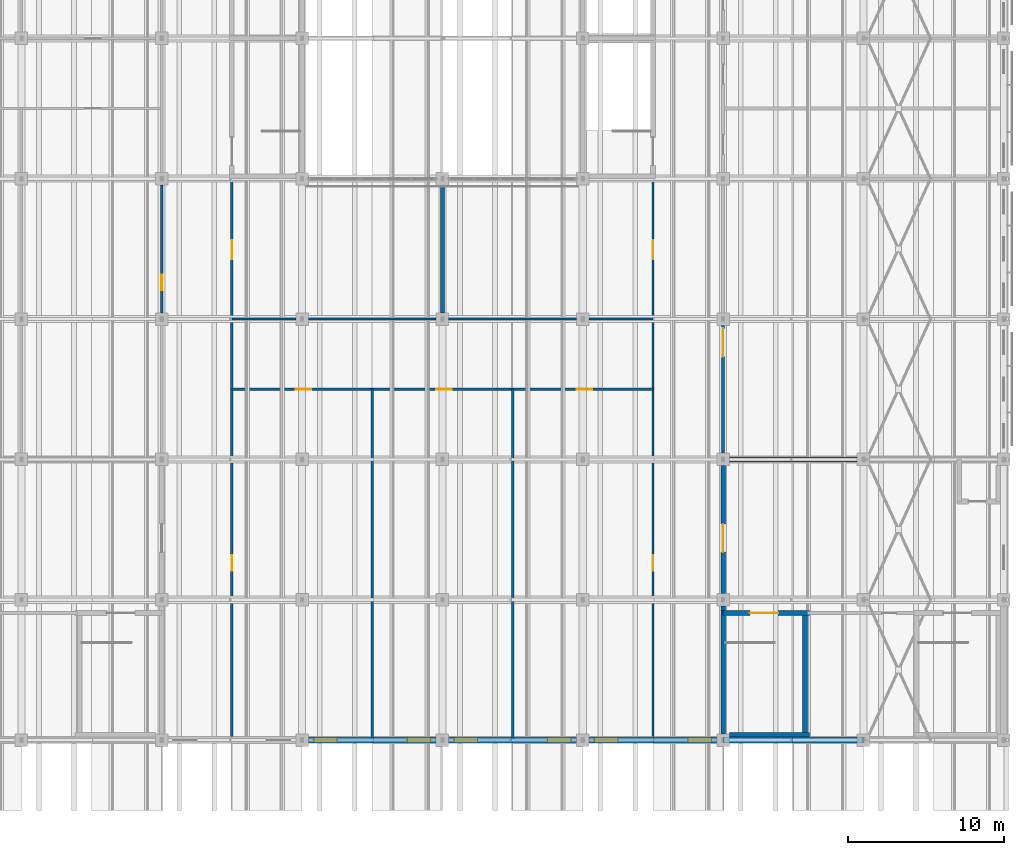
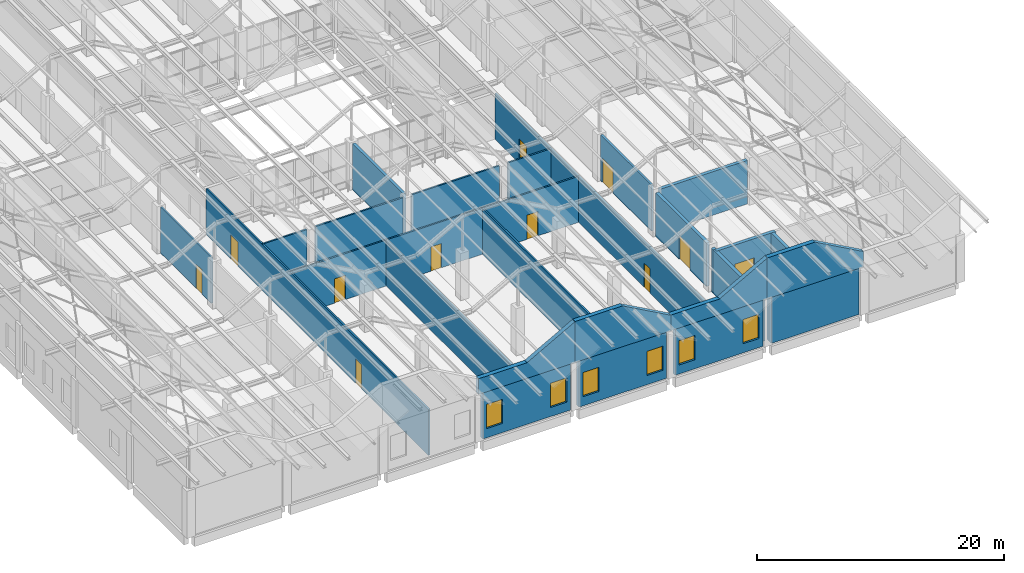
# One storey, part 264 of 437: 27 walls, 11 doors, 6 windows, 17 openings.
"""IFC4 building model written with IfcOpenShell, lengths in metres."""

from ifc_helpers import new_model, si_unit, direction, frame, frame_2d, origin, place, context, subcontext, project, spatial, polyline, rectangle, outline, extrude, material, layer, layer_set, type_object, element, fill, save


model = new_model("IFC4")

# Units and contexts
model_context = context("Model", 3, precision=1e-05, world=origin(), true_north=direction((0.0, 1.0)))
body_context = subcontext(model_context, "Body", "Model", "MODEL_VIEW")
ifc_project = project(units=[si_unit("LENGTHUNIT", "METRE"), si_unit("AREAUNIT", "SQUARE_METRE"), si_unit("VOLUMEUNIT", "CUBIC_METRE"), si_unit("PLANEANGLEUNIT", "RADIAN"), si_unit("MASSUNIT", "GRAM", prefix="KILO")], contexts=[model_context])

# Site, building, storey
site_placement = place(None, origin())
site = spatial("IfcSite", under=ifc_project, at=site_placement, CompositionType="ELEMENT")
building_placement = place(site_placement, origin())
building = spatial("IfcBuilding", under=site, at=building_placement, Name="Opaline Strait Convention Centre", CompositionType="ELEMENT")
storey_placement = place(building_placement, frame((0.0, 0.0, 11.5)))
storey = spatial("IfcBuildingStorey", under=building, at=storey_placement, Name="L02", CompositionType="ELEMENT", Elevation=11.5)

# Wall
ifc_material_1 = material(Name="Gypsum board on metal studs with mineral wool")
ifc_layer_1 = layer(ifc_material_1, 0.25)
ifc_layer_set_1 = layer_set([ifc_layer_1], Name="Gypsum board on metal studs with mineral wool")
wall_type_1 = type_object("IfcWallType", Name="Acoustic partition 250", PredefinedType="PARTITIONING", material=ifc_layer_set_1)
wall_1_placement = place(storey_placement, frame((45.0, 36.39990234375, 0.0), z_axis=(0.0, 0.0, 1.0), x_axis=(0.0, 1.0, 0.0)))
element("IfcWall", 1, at=wall_1_placement, inside=storey, type_object=wall_type_1, Name="L02 partition", PredefinedType="PARTITIONING", context=body_context, shape_type="SweptSolid", body=[
    extrude(rectangle(XDim=8.2001953125, YDim=0.25, at=frame_2d((4.10009765625, 0.0))), origin(), (0.0, 0.0, 1.0), 4.550048828125),
])

# Wall, opening, door
ifc_layer_2 = layer(ifc_material_1, 0.199951171875)
ifc_layer_set_2 = layer_set([ifc_layer_2], Name="Gypsum board on metal studs with mineral wool")
wall_type_2 = type_object("IfcWallType", Name="Fire partition 200", PredefinedType="PARTITIONING", material=ifc_layer_set_2)
wall_2_placement = place(storey_placement, frame((63.0, 27.39990234375, 0.0), z_axis=(0.0, 0.0, 1.0), x_axis=(0.0, 1.0, 0.0)))
wall_2 = element("IfcWall", 2, at=wall_2_placement, inside=storey, type_object=wall_type_2, Name="L02 partition", PredefinedType="PARTITIONING", context=body_context, shape_type="SweptSolid", body=[
    extrude(rectangle(XDim=8.2001953125, YDim=0.199951171875, at=frame_2d((4.10009765625, 0.0))), origin(), (0.0, 0.0, 1.0), 4.550048828125),
])
opening_1_placement = place(wall_2_placement, frame((6.199951171875, 0.0, 0.0)))
opening_1 = element("IfcOpeningElement", 3, at=opening_1_placement, cuts=wall_2, Name="Opening R2-046", PredefinedType="OPENING", context=body_context, shape_type="SweptSolid", body=[
    extrude(rectangle(XDim=1.800048828125, YDim=2.39990234375, at=frame_2d((0.89990234375, 1.199951171875))), frame((0.0, 0.10986328125, 0.0), z_axis=(0.0, -1.0, 0.0), x_axis=(1.0, 0.0, 0.0)), (0.0, 0.0, 1.0), 0.219970703125),
])
ifc_material_2 = material(Name="Galvanised steel door leaves", Category="steel")
door_type_1 = type_object("IfcDoorType", Name="Plant door 1800x2400 double FD60", OperationType="DOUBLE_DOOR_SINGLE_SWING", PredefinedType="DOOR", material=ifc_material_2)
door_1_placement = place(opening_1_placement, origin())
door_1 = element("IfcDoor", 4, at=door_1_placement, inside=storey, type_object=door_type_1, Name="AHU Plant Room door R2-046", ObjectType="RD15", OperationType="DOUBLE_DOOR_SINGLE_SWING", OverallHeight=2.39990234375, OverallWidth=1.800048828125, PredefinedType="DOOR", context=body_context, shape_type="SweptSolid", body=[
    extrude(rectangle(XDim=1.800048828125, YDim=2.39990234375, at=frame_2d((0.89990234375, 1.199951171875))), frame((0.0, 0.02490234375, 0.0), z_axis=(0.0, -1.0, 0.0), x_axis=(1.0, 0.0, 0.0)), (0.0, 0.0, 1.0), 0.050048828125),
])
fill(opening_1, door_1)

# Wall, openings, doors
ifc_layer_3 = layer(ifc_material_1, 0.14990234375)
ifc_layer_set_3 = layer_set([ifc_layer_3], Name="Gypsum board on metal studs with mineral wool")
wall_type_3 = type_object("IfcWallType", Name="Partition 150", PredefinedType="PARTITIONING", material=ifc_layer_set_3)
wall_3_placement = place(storey_placement, frame((31.5, 31.5, 0.0), z_axis=(0.0, 0.0, 1.0), x_axis=(1.0, 0.0, 0.0)))
wall_3 = element("IfcWall", 5, at=wall_3_placement, inside=storey, type_object=wall_type_3, Name="L02 partition", PredefinedType="PARTITIONING", context=body_context, shape_type="SweptSolid", body=[
    extrude(rectangle(XDim=27.0, YDim=0.14990234375, at=frame_2d((13.5, 0.0))), origin(), (0.0, 0.0, 1.0), 4.550048828125),
])
opening_2_placement = place(wall_3_placement, frame((4.10009765625, 0.0, 0.0)))
opening_2 = element("IfcOpeningElement", 6, at=opening_2_placement, cuts=wall_3, Name="Opening R2-028", PredefinedType="OPENING", context=body_context, shape_type="SweptSolid", body=[
    extrude(rectangle(XDim=1.0, YDim=2.39990234375, at=frame_2d((0.5, 1.199951171875))), frame((0.0, 0.0849609375, 0.0), z_axis=(0.0, -1.0, 0.0), x_axis=(1.0, 0.0, 0.0)), (0.0, 0.0, 1.0), 0.169921875),
])
opening_3_placement = place(wall_3_placement, frame((13.10009765625, 0.0, 0.0)))
opening_3 = element("IfcOpeningElement", 7, at=opening_3_placement, cuts=wall_3, Name="Opening R2-029", PredefinedType="OPENING", context=body_context, shape_type="SweptSolid", body=[
    extrude(rectangle(XDim=1.0, YDim=2.39990234375, at=frame_2d((0.5, 1.199951171875))), frame((0.0, 0.0849609375, 0.0), z_axis=(0.0, -1.0, 0.0), x_axis=(1.0, 0.0, 0.0)), (0.0, 0.0, 1.0), 0.169921875),
])
opening_4_placement = place(wall_3_placement, frame((22.10009765625, 0.0, 0.0)))
opening_4 = element("IfcOpeningElement", 8, at=opening_4_placement, cuts=wall_3, Name="Opening R2-031", PredefinedType="OPENING", context=body_context, shape_type="SweptSolid", body=[
    extrude(rectangle(XDim=1.0, YDim=2.39990234375, at=frame_2d((0.5, 1.199951171875))), frame((0.0, 0.0849609375, 0.0), z_axis=(0.0, -1.0, 0.0), x_axis=(1.0, 0.0, 0.0)), (0.0, 0.0, 1.0), 0.169921875),
])
ifc_material_3 = material(Name="Timber door leaf in steel frame", Category="steel")
door_type_2 = type_object("IfcDoorType", Name="Door 1000x2400 single FD30", OperationType="SINGLE_SWING_LEFT", PredefinedType="DOOR", material=ifc_material_3)
door_2_placement = place(opening_2_placement, origin())
door_2 = element("IfcDoor", 9, at=door_2_placement, inside=storey, type_object=door_type_2, Name="Business Centre Office 2.01 door R2-028", ObjectType="RD1", OperationType="SINGLE_SWING_LEFT", OverallHeight=2.39990234375, OverallWidth=1.0, PredefinedType="DOOR", context=body_context, shape_type="SweptSolid", body=[
    extrude(rectangle(XDim=1.0, YDim=2.39990234375, at=frame_2d((0.5, 1.199951171875))), frame((0.0, 0.02490234375, 0.0), z_axis=(0.0, -1.0, 0.0), x_axis=(1.0, 0.0, 0.0)), (0.0, 0.0, 1.0), 0.050048828125),
])
fill(opening_2, door_2)
door_3_placement = place(opening_3_placement, origin())
door_3 = element("IfcDoor", 10, at=door_3_placement, inside=storey, type_object=door_type_2, Name="Business Centre Office 2.02 door R2-029", ObjectType="RD1", OperationType="SINGLE_SWING_LEFT", OverallHeight=2.39990234375, OverallWidth=1.0, PredefinedType="DOOR", context=body_context, shape_type="SweptSolid", body=[
    extrude(rectangle(XDim=1.0, YDim=2.39990234375, at=frame_2d((0.5, 1.199951171875))), frame((0.0, 0.02490234375, 0.0), z_axis=(0.0, -1.0, 0.0), x_axis=(1.0, 0.0, 0.0)), (0.0, 0.0, 1.0), 0.050048828125),
])
fill(opening_3, door_3)
door_4_placement = place(opening_4_placement, origin())
door_4 = element("IfcDoor", 11, at=door_4_placement, inside=storey, type_object=door_type_2, Name="Business Centre Office 2.03 door R2-031", ObjectType="RD1", OperationType="SINGLE_SWING_LEFT", OverallHeight=2.39990234375, OverallWidth=1.0, PredefinedType="DOOR", context=body_context, shape_type="SweptSolid", body=[
    extrude(rectangle(XDim=1.0, YDim=2.39990234375, at=frame_2d((0.5, 1.199951171875))), frame((0.0, 0.02490234375, 0.0), z_axis=(0.0, -1.0, 0.0), x_axis=(1.0, 0.0, 0.0)), (0.0, 0.0, 1.0), 0.050048828125),
])
fill(opening_4, door_4)

# Walls
wall_4_placement = place(storey_placement, frame((31.5, 36.0, 0.0), z_axis=(0.0, 0.0, 1.0), x_axis=(1.0, 0.0, 0.0)))
element("IfcWall", 12, at=wall_4_placement, inside=storey, type_object=wall_type_3, Name="L02 partition", PredefinedType="PARTITIONING", context=body_context, shape_type="SweptSolid", body=[
    extrude(rectangle(XDim=4.10009765625, YDim=0.14990234375, at=frame_2d((2.050048828125, 0.0))), origin(), (0.0, 0.0, 1.0), 4.550048828125),
])
for number, where, z_axis, x_axis, name in (
    (13, (36.39990234375, 36.0, 0.0), (0.0, 0.0, 1.0), (1.0, 0.0, 0.0), "L02 partition"),
    (14, (45.39990234375, 36.0, 0.0), (0.0, 0.0, 1.0), (1.0, 0.0, 0.0), "L02 partition"),
):
    element("IfcWall", number, at=place(storey_placement, frame(where, z_axis=z_axis, x_axis=x_axis)), inside=storey, type_object=wall_type_3, Name=name, PredefinedType="PARTITIONING", context=body_context, shape_type="SweptSolid", body=[
        extrude(rectangle(XDim=8.2001953125, YDim=0.14990234375, at=frame_2d((4.10009765625, 0.0))), origin(), (0.0, 0.0, 1.0), 4.550048828125),
    ])
wall_5_placement = place(storey_placement, frame((54.39990234375, 36.0, 0.0), z_axis=(0.0, 0.0, 1.0), x_axis=(1.0, 0.0, 0.0)))
element("IfcWall", 15, at=wall_5_placement, inside=storey, type_object=wall_type_3, Name="L02 partition", PredefinedType="PARTITIONING", context=body_context, shape_type="SweptSolid", body=[
    extrude(rectangle(XDim=4.10009765625, YDim=0.14990234375, at=frame_2d((2.050048828125, 0.0))), origin(), (0.0, 0.0, 1.0), 4.550048828125),
])

# Wall, opening, door
wall_6_placement = place(storey_placement, frame((27.0, 36.39990234375, 0.0), z_axis=(0.0, 0.0, 1.0), x_axis=(0.0, 1.0, 0.0)))
wall_6 = element("IfcWall", 16, at=wall_6_placement, inside=storey, type_object=wall_type_3, Name="L02 partition", PredefinedType="PARTITIONING", context=body_context, shape_type="SweptSolid", body=[
    extrude(rectangle(XDim=8.2001953125, YDim=0.14990234375, at=frame_2d((4.10009765625, 0.0))), origin(), (0.0, 0.0, 1.0), 4.550048828125),
])
opening_5_placement = place(wall_6_placement, frame((1.449951171875, 0.0, 0.0)))
opening_5 = element("IfcOpeningElement", 17, at=opening_5_placement, cuts=wall_6, Name="Opening R2-041", PredefinedType="OPENING", context=body_context, shape_type="SweptSolid", body=[
    extrude(rectangle(XDim=1.0, YDim=2.39990234375, at=frame_2d((0.5, 1.199951171875))), frame((0.0, 0.0849609375, 0.0), z_axis=(0.0, -1.0, 0.0), x_axis=(1.0, 0.0, 0.0)), (0.0, 0.0, 1.0), 0.169921875),
])
door_5_placement = place(opening_5_placement, frame((1.0, 0.0, 0.0), z_axis=(0.0, 0.0, 1.0), x_axis=(-1.0, 0.0, 0.0)))
door_5 = element("IfcDoor", 18, at=door_5_placement, inside=storey, type_object=door_type_2, Name="Delegate Office Suite 2.05 door R2-041", ObjectType="RD1", OperationType="SINGLE_SWING_LEFT", OverallHeight=2.39990234375, OverallWidth=1.0, PredefinedType="DOOR", context=body_context, shape_type="SweptSolid", body=[
    extrude(rectangle(XDim=1.0, YDim=2.39990234375, at=frame_2d((0.5, 1.199951171875))), frame((0.0, 0.02490234375, 0.0), z_axis=(0.0, -1.0, 0.0), x_axis=(1.0, 0.0, 0.0)), (0.0, 0.0, 1.0), 0.050048828125),
])
fill(opening_5, door_5)

# Wall, openings, doors
wall_7_placement = place(storey_placement, frame((31.5, 9.0, 0.0), z_axis=(0.0, 0.0, 1.0), x_axis=(0.0, 1.0, 0.0)))
wall_7 = element("IfcWall", 19, at=wall_7_placement, inside=storey, type_object=wall_type_3, Name="L02 partition", PredefinedType="PARTITIONING", context=body_context, shape_type="SweptSolid", body=[
    extrude(rectangle(XDim=36.0, YDim=0.14990234375, at=frame_2d((18.0, 0.0))), origin(), (0.0, 0.0, 1.0), 4.550048828125),
])
opening_6_placement = place(wall_7_placement, frame((10.85009765625, 0.0, 0.0)))
opening_6 = element("IfcOpeningElement", 20, at=opening_6_placement, cuts=wall_7, Name="Opening R2-027", PredefinedType="OPENING", context=body_context, shape_type="SweptSolid", body=[
    extrude(rectangle(XDim=1.0, YDim=2.39990234375, at=frame_2d((0.5, 1.199951171875))), frame((0.0, 0.0849609375, 0.0), z_axis=(0.0, -1.0, 0.0), x_axis=(1.0, 0.0, 0.0)), (0.0, 0.0, 1.0), 0.169921875),
])
opening_7_placement = place(wall_7_placement, frame((30.85009765625, 0.0, 0.0)))
opening_7 = element("IfcOpeningElement", 21, at=opening_7_placement, cuts=wall_7, Name="Opening R2-032", PredefinedType="OPENING", context=body_context, shape_type="SweptSolid", body=[
    extrude(rectangle(XDim=1.199951171875, YDim=2.39990234375, at=frame_2d((0.60009765625, 1.199951171875))), frame((0.0, 0.0849609375, 0.0), z_axis=(0.0, -1.0, 0.0), x_axis=(1.0, 0.0, 0.0)), (0.0, 0.0, 1.0), 0.169921875),
])
door_6_placement = place(opening_6_placement, origin())
door_6 = element("IfcDoor", 22, at=door_6_placement, inside=storey, type_object=door_type_2, Name="Business Centre Office 2.01 door R2-027", ObjectType="RD1", OperationType="SINGLE_SWING_LEFT", OverallHeight=2.39990234375, OverallWidth=1.0, PredefinedType="DOOR", context=body_context, shape_type="SweptSolid", body=[
    extrude(rectangle(XDim=1.0, YDim=2.39990234375, at=frame_2d((0.5, 1.199951171875))), frame((0.0, 0.02490234375, 0.0), z_axis=(0.0, -1.0, 0.0), x_axis=(1.0, 0.0, 0.0)), (0.0, 0.0, 1.0), 0.050048828125),
])
fill(opening_6, door_6)
door_type_3 = type_object("IfcDoorType", Name="Meeting room door 1200x2400 FD30", OperationType="SINGLE_SWING_LEFT", PredefinedType="DOOR", material=ifc_material_3)
door_7_placement = place(opening_7_placement, origin())
door_7 = element("IfcDoor", 23, at=door_7_placement, inside=storey, type_object=door_type_3, Name="Meeting Suite 2.01 door R2-032", ObjectType="RD14", OperationType="SINGLE_SWING_LEFT", OverallHeight=2.39990234375, OverallWidth=1.199951171875, PredefinedType="DOOR", context=body_context, shape_type="SweptSolid", body=[
    extrude(rectangle(XDim=1.199951171875, YDim=2.39990234375, at=frame_2d((0.60009765625, 1.199951171875))), frame((0.0, 0.02490234375, 0.0), z_axis=(0.0, -1.0, 0.0), x_axis=(1.0, 0.0, 0.0)), (0.0, 0.0, 1.0), 0.050048828125),
])
fill(opening_7, door_7)

# Walls
for number, where, z_axis, x_axis, name in (
    (24, (40.5, 9.0, 0.0), (0.0, 0.0, 1.0), (0.0, 1.0, 0.0), "L02 partition"),
    (25, (49.5, 9.0, 0.0), (0.0, 0.0, 1.0), (0.0, 1.0, 0.0), "L02 partition"),
):
    element("IfcWall", number, at=place(storey_placement, frame(where, z_axis=z_axis, x_axis=x_axis)), inside=storey, type_object=wall_type_3, Name=name, PredefinedType="PARTITIONING", context=body_context, shape_type="SweptSolid", body=[
        extrude(rectangle(XDim=22.5, YDim=0.14990234375, at=frame_2d((11.25, 0.0))), origin(), (0.0, 0.0, 1.0), 4.550048828125),
    ])

# Wall, openings, doors
wall_8_placement = place(storey_placement, frame((58.5, 9.0, 0.0), z_axis=(0.0, 0.0, 1.0), x_axis=(0.0, 1.0, 0.0)))
wall_8 = element("IfcWall", 26, at=wall_8_placement, inside=storey, type_object=wall_type_3, Name="L02 partition", PredefinedType="PARTITIONING", context=body_context, shape_type="SweptSolid", body=[
    extrude(rectangle(XDim=36.0, YDim=0.14990234375, at=frame_2d((18.0, 0.0))), origin(), (0.0, 0.0, 1.0), 4.550048828125),
])
opening_8_placement = place(wall_8_placement, frame((10.85009765625, 0.0, 0.0)))
opening_8 = element("IfcOpeningElement", 27, at=opening_8_placement, cuts=wall_8, Name="Opening R2-030", PredefinedType="OPENING", context=body_context, shape_type="SweptSolid", body=[
    extrude(rectangle(XDim=1.0, YDim=2.39990234375, at=frame_2d((0.5, 1.199951171875))), frame((0.0, 0.0849609375, 0.0), z_axis=(0.0, -1.0, 0.0), x_axis=(1.0, 0.0, 0.0)), (0.0, 0.0, 1.0), 0.169921875),
])
opening_9_placement = place(wall_8_placement, frame((30.85009765625, 0.0, 0.0)))
opening_9 = element("IfcOpeningElement", 28, at=opening_9_placement, cuts=wall_8, Name="Opening R2-033", PredefinedType="OPENING", context=body_context, shape_type="SweptSolid", body=[
    extrude(rectangle(XDim=1.199951171875, YDim=2.39990234375, at=frame_2d((0.60009765625, 1.199951171875))), frame((0.0, 0.0849609375, 0.0), z_axis=(0.0, -1.0, 0.0), x_axis=(1.0, 0.0, 0.0)), (0.0, 0.0, 1.0), 0.169921875),
])
door_8_placement = place(opening_8_placement, frame((1.0, 0.0, 0.0), z_axis=(0.0, 0.0, 1.0), x_axis=(-1.0, 0.0, 0.0)))
door_8 = element("IfcDoor", 29, at=door_8_placement, inside=storey, type_object=door_type_2, Name="Business Centre Office 2.03 door R2-030", ObjectType="RD1", OperationType="SINGLE_SWING_LEFT", OverallHeight=2.39990234375, OverallWidth=1.0, PredefinedType="DOOR", context=body_context, shape_type="SweptSolid", body=[
    extrude(rectangle(XDim=1.0, YDim=2.39990234375, at=frame_2d((0.5, 1.199951171875))), frame((0.0, 0.02490234375, 0.0), z_axis=(0.0, -1.0, 0.0), x_axis=(1.0, 0.0, 0.0)), (0.0, 0.0, 1.0), 0.050048828125),
])
fill(opening_8, door_8)
door_9_placement = place(opening_9_placement, frame((1.199951171875, 0.0, 0.0), z_axis=(0.0, 0.0, 1.0), x_axis=(-1.0, 0.0, 0.0)))
door_9 = element("IfcDoor", 30, at=door_9_placement, inside=storey, type_object=door_type_3, Name="Meeting Suite 2.02 door R2-033", ObjectType="RD14", OperationType="SINGLE_SWING_LEFT", OverallHeight=2.39990234375, OverallWidth=1.199951171875, PredefinedType="DOOR", context=body_context, shape_type="SweptSolid", body=[
    extrude(rectangle(XDim=1.199951171875, YDim=2.39990234375, at=frame_2d((0.60009765625, 1.199951171875))), frame((0.0, 0.02490234375, 0.0), z_axis=(0.0, -1.0, 0.0), x_axis=(1.0, 0.0, 0.0)), (0.0, 0.0, 1.0), 0.050048828125),
])
fill(opening_9, door_9)

# Wall
ifc_material_4 = material(Name="Concrete C40", Category="concrete")
ifc_layer_4 = layer(ifc_material_4, 0.300048828125)
ifc_layer_set_4 = layer_set([ifc_layer_4], Name="Concrete C40")
wall_type_4 = type_object("IfcWallType", Name="RC wall 300 C40", PredefinedType="SOLIDWALL", material=ifc_layer_set_4)
wall_9_placement = place(storey_placement, frame((68.550048828125, 9.35009765625, 0.0), z_axis=(0.0, 0.0, 1.0), x_axis=(-1.0, 0.0, 0.0)))
element("IfcWall", 31, at=wall_9_placement, inside=storey, type_object=wall_type_4, Name="SE core STB-S wall", PredefinedType="SOLIDWALL", context=body_context, shape_type="SweptSolid", body=[
    extrude(rectangle(XDim=5.150146484375, YDim=0.300048828125, at=frame_2d((2.5751953125, 0.0))), origin(), (0.0, 0.0, 1.0), 4.300048828125),
])

# Wall, opening, door
wall_10_placement = place(storey_placement, frame((68.550048828125, 17.14990234375, 0.0), z_axis=(0.0, 0.0, 1.0), x_axis=(-1.0, 0.0, 0.0)))
wall_10 = element("IfcWall", 32, at=wall_10_placement, inside=storey, type_object=wall_type_4, Name="SE core STB-N wall", PredefinedType="SOLIDWALL", context=body_context, shape_type="SweptSolid", body=[
    extrude(rectangle(XDim=5.550048828125, YDim=0.300048828125, at=frame_2d((2.77490234375, 0.0))), origin(), (0.0, 0.0, 1.0), 4.300048828125),
])
opening_10_placement = place(wall_10_placement, frame((2.02490234375, 0.0, 0.0)))
opening_10 = element("IfcOpeningElement", 33, at=opening_10_placement, cuts=wall_10, Name="Opening R2-008", PredefinedType="OPENING", context=body_context, shape_type="SweptSolid", body=[
    extrude(rectangle(XDim=1.800048828125, YDim=2.39990234375, at=frame_2d((0.89990234375, 1.199951171875))), frame((0.0, 0.159912109375, 0.0), z_axis=(0.0, -1.0, 0.0), x_axis=(1.0, 0.0, 0.0)), (0.0, 0.0, 1.0), 0.320068359375),
])
ifc_material_5 = material(Name="Timber door leaves in steel frame", Category="steel")
door_type_4 = type_object("IfcDoorType", Name="Stair door 1800x2400 double FD60", OperationType="DOUBLE_DOOR_SINGLE_SWING", PredefinedType="DOOR", material=ifc_material_5)
door_10_placement = place(opening_10_placement, frame((1.800048828125, 0.0, 0.0), z_axis=(0.0, 0.0, 1.0), x_axis=(-1.0, 0.0, 0.0)))
door_10 = element("IfcDoor", 34, at=door_10_placement, inside=storey, type_object=door_type_4, Name="Stair door SEB R2-008", ObjectType="RD7", OperationType="DOUBLE_DOOR_SINGLE_SWING", OverallHeight=2.39990234375, OverallWidth=1.800048828125, PredefinedType="DOOR", context=body_context, shape_type="SweptSolid", body=[
    extrude(rectangle(XDim=1.800048828125, YDim=2.39990234375, at=frame_2d((0.89990234375, 1.199951171875))), frame((0.0, 0.02490234375, 0.0), z_axis=(0.0, -1.0, 0.0), x_axis=(1.0, 0.0, 0.0)), (0.0, 0.0, 1.0), 0.050048828125),
])
fill(opening_10, door_10)

# Walls
wall_11_placement = place(storey_placement, frame((68.25, 9.199951171875, 0.0), z_axis=(0.0, 0.0, 1.0), x_axis=(0.0, 1.0, 0.0)))
element("IfcWall", 35, at=wall_11_placement, inside=storey, type_object=wall_type_4, Name="SE core STB-W wall", PredefinedType="SOLIDWALL", context=body_context, shape_type="SweptSolid", body=[
    extrude(rectangle(XDim=8.10009765625, YDim=0.300048828125, at=frame_2d((4.050048828125, 0.0))), origin(), (0.0, 0.0, 1.0), 4.300048828125),
])
wall_12_placement = place(storey_placement, frame((63.0, 9.39990234375, 0.0), z_axis=(0.0, 0.0, 1.0), x_axis=(0.0, 1.0, 0.0)))
element("IfcWall", 36, at=wall_12_placement, inside=storey, type_object=wall_type_4, Name="SE core STB-E wall", PredefinedType="SOLIDWALL", context=body_context, shape_type="SweptSolid", body=[
    extrude(rectangle(XDim=7.900146484375, YDim=0.300048828125, at=frame_2d((3.9501953125, 0.0))), origin(), (0.0, 0.0, 1.0), 4.300048828125),
])
wall_13_placement = place(storey_placement, frame((71.60009765625, 27.0, 0.0), z_axis=(0.0, 0.0, 1.0), x_axis=(-1.0, 0.0, 0.0)))
element("IfcWall", 37, at=wall_13_placement, inside=storey, type_object=wall_type_4, Name="SE core BND-N wall", PredefinedType="SOLIDWALL", context=body_context, shape_type="SweptSolid", body=[
    extrude(rectangle(XDim=8.2001953125, YDim=0.300048828125, at=frame_2d((4.10009765625, 0.0))), origin(), (0.0, 0.0, 1.0), 4.300048828125),
])
wall_14_placement = place(storey_placement, frame((63.0, 17.300048828125, 0.0), z_axis=(0.0, 0.0, 1.0), x_axis=(0.0, 1.0, 0.0)))
element("IfcWall", 38, at=wall_14_placement, inside=storey, type_object=wall_type_4, Name="SE core BND-E wall", PredefinedType="SOLIDWALL", context=body_context, shape_type="SweptSolid", body=[
    extrude(rectangle(XDim=0.300048828125, YDim=0.300048828125, at=frame_2d((0.14990234375, 0.0))), origin(), (0.0, 0.0, 1.0), 4.300048828125),
])

# Wall, opening, door
wall_15_placement = place(storey_placement, frame((63.0, 18.39990234375, 0.0), z_axis=(0.0, 0.0, 1.0), x_axis=(0.0, 1.0, 0.0)))
wall_15 = element("IfcWall", 39, at=wall_15_placement, inside=storey, type_object=wall_type_4, Name="SE core BND-E wall", PredefinedType="SOLIDWALL", context=body_context, shape_type="SweptSolid", body=[
    extrude(rectangle(XDim=8.2001953125, YDim=0.300048828125, at=frame_2d((4.10009765625, 0.0))), origin(), (0.0, 0.0, 1.0), 4.300048828125),
])
opening_11_placement = place(wall_15_placement, frame((2.64990234375, 0.0, 0.0)))
opening_11 = element("IfcOpeningElement", 40, at=opening_11_placement, cuts=wall_15, Name="Opening R2-010", PredefinedType="OPENING", context=body_context, shape_type="SweptSolid", body=[
    extrude(rectangle(XDim=1.800048828125, YDim=2.39990234375, at=frame_2d((0.89990234375, 1.199951171875))), frame((0.0, 0.159912109375, 0.0), z_axis=(0.0, -1.0, 0.0), x_axis=(1.0, 0.0, 0.0)), (0.0, 0.0, 1.0), 0.320068359375),
])
door_type_5 = type_object("IfcDoorType", Name="Door 1800x2400 double FD60", OperationType="DOUBLE_DOOR_SINGLE_SWING", PredefinedType="DOOR", material=ifc_material_5)
door_11_placement = place(opening_11_placement, origin())
door_11 = element("IfcDoor", 41, at=door_11_placement, inside=storey, type_object=door_type_5, Name="Core lobby door SE R2-010", ObjectType="RD9", OperationType="DOUBLE_DOOR_SINGLE_SWING", OverallHeight=2.39990234375, OverallWidth=1.800048828125, PredefinedType="DOOR", context=body_context, shape_type="SweptSolid", body=[
    extrude(rectangle(XDim=1.800048828125, YDim=2.39990234375, at=frame_2d((0.89990234375, 1.199951171875))), frame((0.0, 0.02490234375, 0.0), z_axis=(0.0, -1.0, 0.0), x_axis=(1.0, 0.0, 0.0)), (0.0, 0.0, 1.0), 0.050048828125),
])
fill(opening_11, door_11)

# Walls
ifc_layer_5 = layer(ifc_material_4, 0.320068359375)
ifc_material_6 = material(Name="Mineral wool insulation")
ifc_layer_6 = layer(ifc_material_6, 0.050048828125)
ifc_material_7 = material(Name="Gypsum board lining")
ifc_layer_7 = layer(ifc_material_7, 0.030029296875)
ifc_layer_set_5 = layer_set([ifc_layer_5, ifc_layer_6, ifc_layer_7], Name="Concrete C40, Mineral wool insulation, Gypsum board lining")
wall_type_5 = type_object("IfcWallType", Name="RC wall 400 C40", PredefinedType="SOLIDWALL", material=ifc_layer_set_5)
wall_16_placement = place(storey_placement, frame((36.0, 9.0, 4.550048828125), z_axis=(0.0, 0.0, 1.0), x_axis=(1.0, 0.0, 0.0)))
element("IfcWall", 42, at=wall_16_placement, inside=storey, type_object=wall_type_5, Name="S roof infill wall 4", PredefinedType="SOLIDWALL", context=body_context, shape_type="SweptSolid", body=[
    extrude(outline(polyline([(0.0, 0.0), (9.0, 0.0), (9.0, 4.0283203125), (4.538818359375, 1.550048828125), (0.0, 1.550048828125), (0.0, 0.0)])), frame((0.0, 0.199951171875, 0.0), z_axis=(0.0, -1.0, 0.0), x_axis=(1.0, 0.0, 0.0)), (0.0, 0.0, 1.0), 0.39990234375),
])
wall_17_placement = place(storey_placement, frame((45.0, 9.0, 4.550048828125), z_axis=(0.0, 0.0, 1.0), x_axis=(1.0, 0.0, 0.0)))
element("IfcWall", 43, at=wall_17_placement, inside=storey, type_object=wall_type_5, Name="S roof infill wall 5", PredefinedType="SOLIDWALL", context=body_context, shape_type="SweptSolid", body=[
    extrude(outline(polyline([(0.0, 0.0), (9.0, 0.0), (9.0, 1.550048828125), (8.961181640625, 1.550048828125), (4.461181640625, 4.050048828125), (0.038818359375, 4.050048828125), (0.0, 4.0283203125), (0.0, 0.0)])), frame((0.0, 0.199951171875, 0.0), z_axis=(0.0, -1.0, 0.0), x_axis=(1.0, 0.0, 0.0)), (0.0, 0.0, 1.0), 0.39990234375),
])
wall_18_placement = place(storey_placement, frame((54.0, 9.0, 4.550048828125), z_axis=(0.0, 0.0, 1.0), x_axis=(1.0, 0.0, 0.0)))
element("IfcWall", 44, at=wall_18_placement, inside=storey, type_object=wall_type_5, Name="S roof infill wall 6", PredefinedType="SOLIDWALL", context=body_context, shape_type="SweptSolid", body=[
    extrude(outline(polyline([(0.0, 0.0), (9.0, 0.0), (9.0, 4.0283203125), (4.538818359375, 1.550048828125), (0.0, 1.550048828125), (0.0, 0.0)])), frame((0.0, 0.199951171875, 0.0), z_axis=(0.0, -1.0, 0.0), x_axis=(1.0, 0.0, 0.0)), (0.0, 0.0, 1.0), 0.39990234375),
])
wall_19_placement = place(storey_placement, frame((63.0, 9.0, 4.550048828125), z_axis=(0.0, 0.0, 1.0), x_axis=(1.0, 0.0, 0.0)))
element("IfcWall", 45, at=wall_19_placement, inside=storey, type_object=wall_type_5, Name="S roof infill wall 7", PredefinedType="SOLIDWALL", context=body_context, shape_type="SweptSolid", body=[
    extrude(outline(polyline([(0.0, 0.0), (9.0, 0.0), (9.0, 1.550048828125), (8.961181640625, 1.550048828125), (4.461181640625, 4.050048828125), (0.038818359375, 4.050048828125), (0.0, 4.0283203125), (0.0, 0.0)])), frame((0.0, 0.199951171875, 0.0), z_axis=(0.0, -1.0, 0.0), x_axis=(1.0, 0.0, 0.0)), (0.0, 0.0, 1.0), 0.39990234375),
])

# Wall, openings, windows
wall_20_placement = place(storey_placement, frame((36.39990234375, 9.0, 0.0), z_axis=(0.0, 0.0, 1.0), x_axis=(1.0, 0.0, 0.0)))
wall_20 = element("IfcWall", 46, at=wall_20_placement, inside=storey, type_object=wall_type_5, Name="L02 S external wall 4", PredefinedType="SOLIDWALL", context=body_context, shape_type="SweptSolid", body=[
    extrude(rectangle(XDim=8.2001953125, YDim=0.39990234375, at=frame_2d((4.10009765625, 0.0))), origin(), (0.0, 0.0, 1.0), 4.550048828125),
])
opening_12_placement = place(wall_20_placement, frame((0.35009765625, 0.0, 0.89990234375)))
opening_12 = element("IfcOpeningElement", 47, at=opening_12_placement, cuts=wall_20, Name="Opening RWN2", PredefinedType="OPENING", context=body_context, shape_type="SweptSolid", body=[
    extrude(rectangle(XDim=1.5, YDim=2.39990234375, at=frame_2d((0.75, 1.199951171875))), frame((0.0, 0.2099609375, 0.0), z_axis=(0.0, -1.0, 0.0), x_axis=(1.0, 0.0, 0.0)), (0.0, 0.0, 1.0), 0.419921875),
])
opening_13_placement = place(wall_20_placement, frame((6.35009765625, 0.0, 0.89990234375)))
opening_13 = element("IfcOpeningElement", 48, at=opening_13_placement, cuts=wall_20, Name="Opening RWN2", PredefinedType="OPENING", context=body_context, shape_type="SweptSolid", body=[
    extrude(rectangle(XDim=1.5, YDim=2.39990234375, at=frame_2d((0.75, 1.199951171875))), frame((0.0, 0.2099609375, 0.0), z_axis=(0.0, -1.0, 0.0), x_axis=(1.0, 0.0, 0.0)), (0.0, 0.0, 1.0), 0.419921875),
])
ifc_material_8 = material(Name="Aluminium framed double glazing", Category="aluminium")
window_type = type_object("IfcWindowType", Name="Window 1500x2400 sill 900", PartitioningType="SINGLE_PANEL", PredefinedType="WINDOW", material=ifc_material_8)
window_1_placement = place(opening_12_placement, origin())
window_1 = element("IfcWindow", 49, at=window_1_placement, inside=storey, type_object=window_type, Name="Window L02-S4-W1", OverallHeight=2.39990234375, OverallWidth=1.5, PartitioningType="SINGLE_PANEL", PredefinedType="WINDOW", context=body_context, shape_type="SweptSolid", body=[
    extrude(rectangle(XDim=1.5, YDim=2.39990234375, at=frame_2d((0.75, 1.199951171875))), frame((0.0, 0.030029296875, 0.0), z_axis=(0.0, -1.0, 0.0), x_axis=(1.0, 0.0, 0.0)), (0.0, 0.0, 1.0), 0.06005859375),
])
fill(opening_12, window_1)
window_2_placement = place(opening_13_placement, origin())
window_2 = element("IfcWindow", 50, at=window_2_placement, inside=storey, type_object=window_type, Name="Window L02-S4-W3", OverallHeight=2.39990234375, OverallWidth=1.5, PartitioningType="SINGLE_PANEL", PredefinedType="WINDOW", context=body_context, shape_type="SweptSolid", body=[
    extrude(rectangle(XDim=1.5, YDim=2.39990234375, at=frame_2d((0.75, 1.199951171875))), frame((0.0, 0.030029296875, 0.0), z_axis=(0.0, -1.0, 0.0), x_axis=(1.0, 0.0, 0.0)), (0.0, 0.0, 1.0), 0.06005859375),
])
fill(opening_13, window_2)

wall_21_placement = place(storey_placement, frame((45.39990234375, 9.0, 0.0), z_axis=(0.0, 0.0, 1.0), x_axis=(1.0, 0.0, 0.0)))
wall_21 = element("IfcWall", 51, at=wall_21_placement, inside=storey, type_object=wall_type_5, Name="L02 S external wall 5", PredefinedType="SOLIDWALL", context=body_context, shape_type="SweptSolid", body=[
    extrude(rectangle(XDim=8.2001953125, YDim=0.39990234375, at=frame_2d((4.10009765625, 0.0))), origin(), (0.0, 0.0, 1.0), 4.550048828125),
])
opening_14_placement = place(wall_21_placement, frame((0.35009765625, 0.0, 0.89990234375)))
opening_14 = element("IfcOpeningElement", 52, at=opening_14_placement, cuts=wall_21, Name="Opening RWN2", PredefinedType="OPENING", context=body_context, shape_type="SweptSolid", body=[
    extrude(rectangle(XDim=1.5, YDim=2.39990234375, at=frame_2d((0.75, 1.199951171875))), frame((0.0, 0.2099609375, 0.0), z_axis=(0.0, -1.0, 0.0), x_axis=(1.0, 0.0, 0.0)), (0.0, 0.0, 1.0), 0.419921875),
])
opening_15_placement = place(wall_21_placement, frame((6.35009765625, 0.0, 0.89990234375)))
opening_15 = element("IfcOpeningElement", 53, at=opening_15_placement, cuts=wall_21, Name="Opening RWN2", PredefinedType="OPENING", context=body_context, shape_type="SweptSolid", body=[
    extrude(rectangle(XDim=1.5, YDim=2.39990234375, at=frame_2d((0.75, 1.199951171875))), frame((0.0, 0.2099609375, 0.0), z_axis=(0.0, -1.0, 0.0), x_axis=(1.0, 0.0, 0.0)), (0.0, 0.0, 1.0), 0.419921875),
])
window_3_placement = place(opening_14_placement, origin())
window_3 = element("IfcWindow", 54, at=window_3_placement, inside=storey, type_object=window_type, Name="Window L02-S5-W1", OverallHeight=2.39990234375, OverallWidth=1.5, PartitioningType="SINGLE_PANEL", PredefinedType="WINDOW", context=body_context, shape_type="SweptSolid", body=[
    extrude(rectangle(XDim=1.5, YDim=2.39990234375, at=frame_2d((0.75, 1.199951171875))), frame((0.0, 0.030029296875, 0.0), z_axis=(0.0, -1.0, 0.0), x_axis=(1.0, 0.0, 0.0)), (0.0, 0.0, 1.0), 0.06005859375),
])
fill(opening_14, window_3)
window_4_placement = place(opening_15_placement, origin())
window_4 = element("IfcWindow", 55, at=window_4_placement, inside=storey, type_object=window_type, Name="Window L02-S5-W3", OverallHeight=2.39990234375, OverallWidth=1.5, PartitioningType="SINGLE_PANEL", PredefinedType="WINDOW", context=body_context, shape_type="SweptSolid", body=[
    extrude(rectangle(XDim=1.5, YDim=2.39990234375, at=frame_2d((0.75, 1.199951171875))), frame((0.0, 0.030029296875, 0.0), z_axis=(0.0, -1.0, 0.0), x_axis=(1.0, 0.0, 0.0)), (0.0, 0.0, 1.0), 0.06005859375),
])
fill(opening_15, window_4)

wall_22_placement = place(storey_placement, frame((54.39990234375, 9.0, 0.0), z_axis=(0.0, 0.0, 1.0), x_axis=(1.0, 0.0, 0.0)))
wall_22 = element("IfcWall", 56, at=wall_22_placement, inside=storey, type_object=wall_type_5, Name="L02 S external wall 6", PredefinedType="SOLIDWALL", context=body_context, shape_type="SweptSolid", body=[
    extrude(rectangle(XDim=8.2001953125, YDim=0.39990234375, at=frame_2d((4.10009765625, 0.0))), origin(), (0.0, 0.0, 1.0), 4.550048828125),
])
opening_16_placement = place(wall_22_placement, frame((0.35009765625, 0.0, 0.89990234375)))
opening_16 = element("IfcOpeningElement", 57, at=opening_16_placement, cuts=wall_22, Name="Opening RWN2", PredefinedType="OPENING", context=body_context, shape_type="SweptSolid", body=[
    extrude(rectangle(XDim=1.5, YDim=2.39990234375, at=frame_2d((0.75, 1.199951171875))), frame((0.0, 0.2099609375, 0.0), z_axis=(0.0, -1.0, 0.0), x_axis=(1.0, 0.0, 0.0)), (0.0, 0.0, 1.0), 0.419921875),
])
opening_17_placement = place(wall_22_placement, frame((6.35009765625, 0.0, 0.89990234375)))
opening_17 = element("IfcOpeningElement", 58, at=opening_17_placement, cuts=wall_22, Name="Opening RWN2", PredefinedType="OPENING", context=body_context, shape_type="SweptSolid", body=[
    extrude(rectangle(XDim=1.5, YDim=2.39990234375, at=frame_2d((0.75, 1.199951171875))), frame((0.0, 0.2099609375, 0.0), z_axis=(0.0, -1.0, 0.0), x_axis=(1.0, 0.0, 0.0)), (0.0, 0.0, 1.0), 0.419921875),
])
window_5_placement = place(opening_16_placement, origin())
window_5 = element("IfcWindow", 59, at=window_5_placement, inside=storey, type_object=window_type, Name="Window L02-S6-W1", OverallHeight=2.39990234375, OverallWidth=1.5, PartitioningType="SINGLE_PANEL", PredefinedType="WINDOW", context=body_context, shape_type="SweptSolid", body=[
    extrude(rectangle(XDim=1.5, YDim=2.39990234375, at=frame_2d((0.75, 1.199951171875))), frame((0.0, 0.030029296875, 0.0), z_axis=(0.0, -1.0, 0.0), x_axis=(1.0, 0.0, 0.0)), (0.0, 0.0, 1.0), 0.06005859375),
])
fill(opening_16, window_5)
window_6_placement = place(opening_17_placement, origin())
window_6 = element("IfcWindow", 60, at=window_6_placement, inside=storey, type_object=window_type, Name="Window L02-S6-W3", OverallHeight=2.39990234375, OverallWidth=1.5, PartitioningType="SINGLE_PANEL", PredefinedType="WINDOW", context=body_context, shape_type="SweptSolid", body=[
    extrude(rectangle(XDim=1.5, YDim=2.39990234375, at=frame_2d((0.75, 1.199951171875))), frame((0.0, 0.030029296875, 0.0), z_axis=(0.0, -1.0, 0.0), x_axis=(1.0, 0.0, 0.0)), (0.0, 0.0, 1.0), 0.06005859375),
])
fill(opening_17, window_6)

# Wall
wall_23_placement = place(storey_placement, frame((63.39990234375, 9.0, 0.0), z_axis=(0.0, 0.0, 1.0), x_axis=(1.0, 0.0, 0.0)))
element("IfcWall", 61, at=wall_23_placement, inside=storey, type_object=wall_type_5, Name="L02 S external wall 7", PredefinedType="SOLIDWALL", context=body_context, shape_type="SweptSolid", body=[
    extrude(rectangle(XDim=8.2001953125, YDim=0.39990234375, at=frame_2d((4.10009765625, 0.0))), origin(), (0.0, 0.0, 1.0), 4.550048828125),
])

save(model, "model.ifc")
